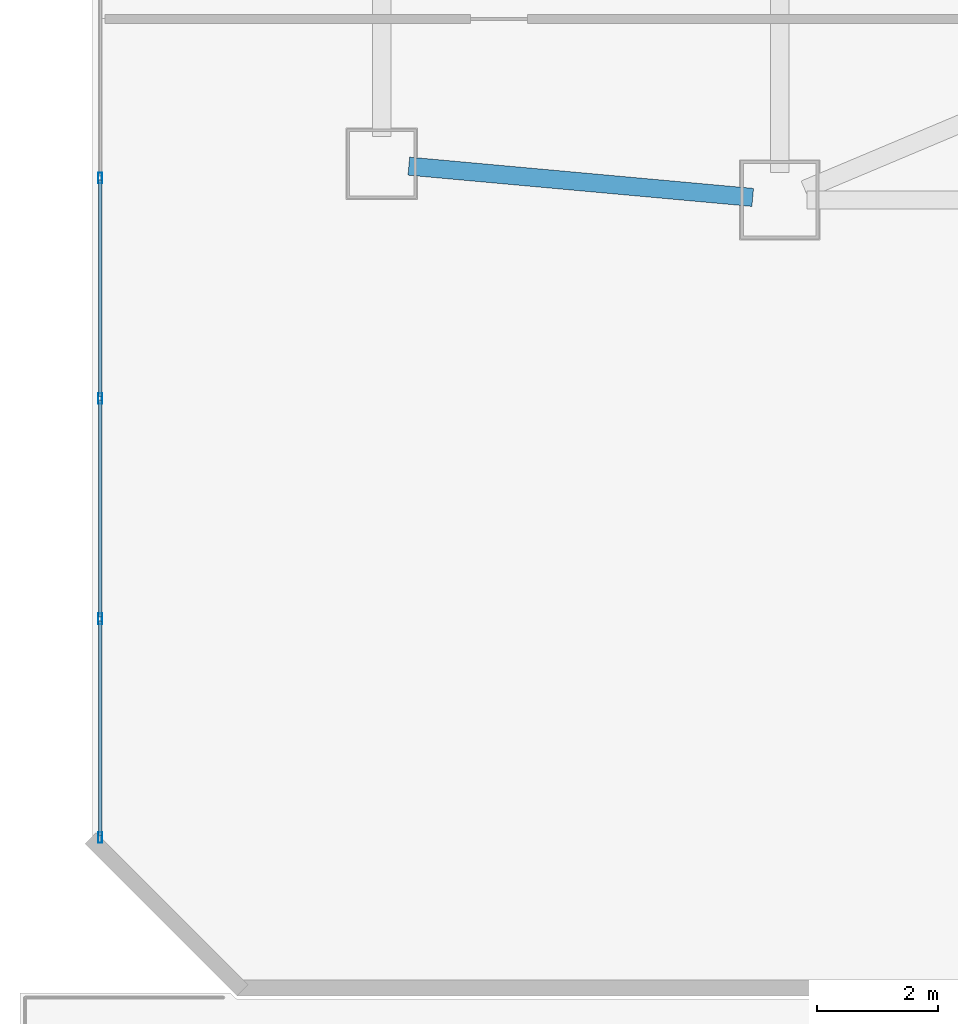
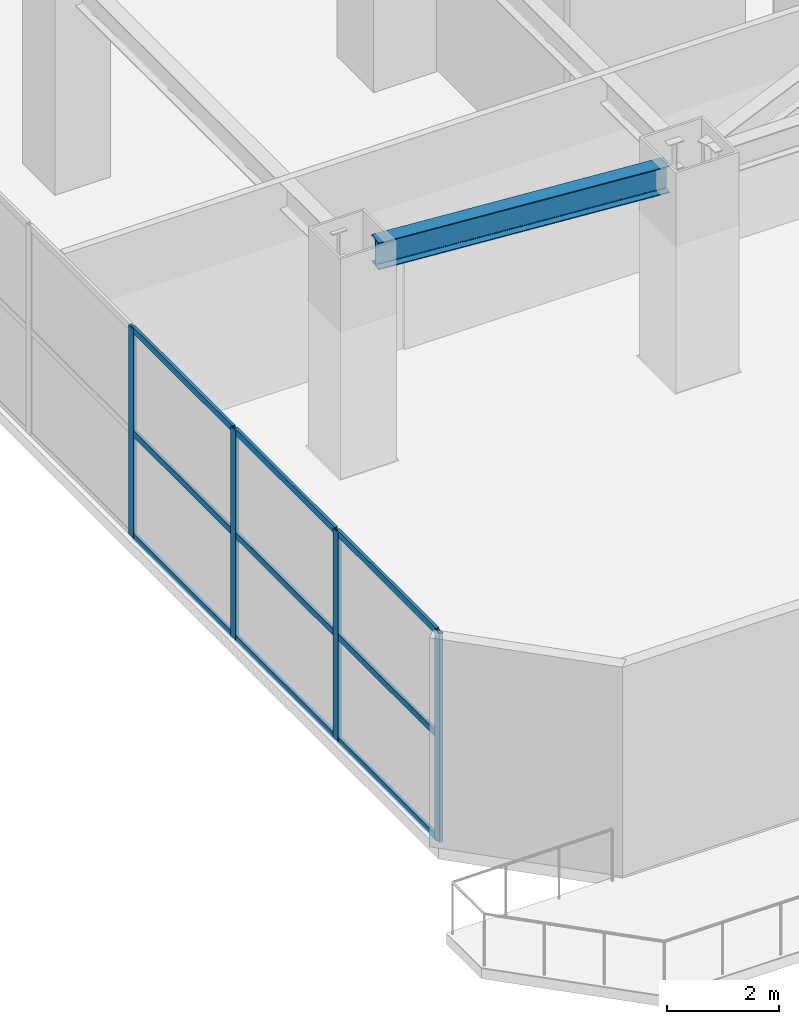
# One storey, part 4 of 31: 13 members, 1 beam, 1 element without a shape of its own.
"""IFC4 building model written with IfcOpenShell, lengths in metres."""

from ifc_helpers import new_model, si_unit, direction, frame, origin, origin_2d, place, context, subcontext, project, spatial, hollow_rectangle, i_section, extrude, material, layer, layer_set, material_profile, profile_set, type_object, element, aggregate, save


model = new_model("IFC4")

# Units and contexts
model_context = context("Model", 3, precision=1e-05, world=origin(), true_north=direction((0.0, 1.0)))
body_context = subcontext(model_context, "Body", "Model", "MODEL_VIEW")
ifc_project = project(units=[si_unit("LENGTHUNIT", "METRE"), si_unit("AREAUNIT", "SQUARE_METRE"), si_unit("VOLUMEUNIT", "CUBIC_METRE"), si_unit("PLANEANGLEUNIT", "RADIAN"), si_unit("MASSUNIT", "GRAM", prefix="KILO")], contexts=[model_context])

# Site, building, storey
site_placement = place(None, origin())
site = spatial("IfcSite", under=ifc_project, at=site_placement, CompositionType="ELEMENT")
building_placement = place(site_placement, origin())
building = spatial("IfcBuilding", under=site, at=building_placement, Name="Haolan Belvedere Tower", CompositionType="ELEMENT")
storey_placement = place(building_placement, frame((0.0, 0.0, 5.39990234375)))
storey = spatial("IfcBuildingStorey", under=building, at=storey_placement, Name="L01", CompositionType="ELEMENT", Elevation=5.39990234375)

# Beam
ifc_material_1 = material(Name="Steel Q355B", Category="steel")
ifc_material_profile_1 = material_profile(ifc_material_1, i_section(OverallWidth=0.300048828125, OverallDepth=0.587890625, WebThickness=0.011962890625, FlangeThickness=0.02001953125, FilletRadius=0.028076171875, at=origin_2d()), Name="Steel Q355B")
ifc_profile_set_1 = profile_set([ifc_material_profile_1], Name="Steel Q355B")
beam_type = type_object("IfcBeamType", Name="BM-HM588x300x12x20", PredefinedType="SPANDREL", material=ifc_profile_set_1)
beam_placement = place(storey_placement, frame((6.4482421875, 17.359375, 4.26611328125), z_axis=(0.995892507606, -0.090543433189, 0.0), x_axis=(0.090543433189, 0.995892507606, 0.0)))
element("IfcBeam", 1, at=beam_placement, inside=storey, type_object=beam_type, Name="L01 spandrel girder MC-T1-SW-MC-T2-SW", PredefinedType="SPANDREL", context=body_context, shape_type="SweptSolid", body=[
    extrude(i_section(OverallWidth=0.300048828125, OverallDepth=0.587890625, WebThickness=0.011962890625, FlangeThickness=0.02001953125, FilletRadius=0.028076171875, at=origin_2d()), origin(), (0.0, 0.0, 1.0), 5.72705078125),
])

# Curtain wall, members
ifc_material_2 = material(Name="Anodised champagne-silver aluminium 6063-T6 and Low-E glass", Category="aluminium")
ifc_layer = layer(ifc_material_2, 0.179931640625, Name="Anodised champagne-silver aluminium 6063-T6 and Low-E glass")
ifc_layer_set = layer_set([ifc_layer], Name="Anodised champagne-silver aluminium 6063-T6 and Low-E glass")
curtain_wall_type = type_object("IfcCurtainWallType", Name="CW-SYS-01", PredefinedType="NOTDEFINED", material=ifc_layer_set)
curtain_wall_placement = place(storey_placement, origin())
curtain_wall = element("IfcCurtainWall", 2, at=curtain_wall_placement, inside=storey, type_object=curtain_wall_type, Name="L01 CW-SYS-01 ribbon curtain wall 4.1", PredefinedType="NOTDEFINED")
ifc_material_3 = material(Name="Anodised aluminium 6063-T6", Category="aluminium")
ifc_material_profile_2 = material_profile(ifc_material_3, hollow_rectangle(XDim=0.06494140625, YDim=0.179931640625, WallThickness=0.00390625, at=origin_2d()), Name="Anodised aluminium 6063-T6")
ifc_profile_set_2 = profile_set([ifc_material_profile_2], Name="Anodised aluminium 6063-T6")
member_type_1 = type_object("IfcMemberType", Name="CW-SYS-01-MUL", PredefinedType="MULLION", material=ifc_profile_set_2)
member_1_placement = place(storey_placement, frame((1.330078125, 17.16357421875, 0.0), z_axis=(0.0, 0.0, 1.0), x_axis=(1.0, 0.0, 0.0)))
member_1 = element("IfcMember", 3, at=member_1_placement, type_object=member_type_1, Name="CW-01 mullion 11", PredefinedType="MULLION", context=body_context, shape_type="SweptSolid", body=[
    extrude(hollow_rectangle(XDim=0.06494140625, YDim=0.179931640625, WallThickness=0.00390625, at=origin_2d()), origin(), (0.0, 0.0, 1.0), 4.56005859375),
])
member_2_placement = place(storey_placement, frame((1.330078125, 13.507080078125, 0.0), z_axis=(0.0, 0.0, 1.0), x_axis=(1.0, 0.0, 0.0)))
member_2 = element("IfcMember", 4, at=member_2_placement, type_object=member_type_1, Name="CW-01 mullion 12", PredefinedType="MULLION", context=body_context, shape_type="SweptSolid", body=[
    extrude(hollow_rectangle(XDim=0.06494140625, YDim=0.179931640625, WallThickness=0.00390625, at=origin_2d()), origin(), (0.0, 0.0, 1.0), 4.56005859375),
])
member_3_placement = place(storey_placement, frame((1.330078125, 9.850341796875, 0.0), z_axis=(0.0, 0.0, 1.0), x_axis=(1.0, 0.0, 0.0)))
member_3 = element("IfcMember", 5, at=member_3_placement, type_object=member_type_1, Name="CW-01 mullion 13", PredefinedType="MULLION", context=body_context, shape_type="SweptSolid", body=[
    extrude(hollow_rectangle(XDim=0.06494140625, YDim=0.179931640625, WallThickness=0.00390625, at=origin_2d()), origin(), (0.0, 0.0, 1.0), 4.56005859375),
])
member_4_placement = place(storey_placement, frame((1.330078125, 6.226318359375, 0.0), z_axis=(0.0, 0.0, 1.0), x_axis=(1.0, 0.0, 0.0)))
member_4 = element("IfcMember", 6, at=member_4_placement, type_object=member_type_1, Name="CW-01 mullion 14", PredefinedType="MULLION", context=body_context, shape_type="SweptSolid", body=[
    extrude(hollow_rectangle(XDim=0.06494140625, YDim=0.179931640625, WallThickness=0.00390625, at=origin_2d()), origin(), (0.0, 0.0, 1.0), 4.56005859375),
])
ifc_material_profile_3 = material_profile(ifc_material_3, hollow_rectangle(XDim=0.06005859375, YDim=0.139892578125, WallThickness=0.00390625, at=origin_2d()), Name="Anodised aluminium 6063-T6")
ifc_profile_set_3 = profile_set([ifc_material_profile_3], Name="Anodised aluminium 6063-T6")
member_type_2 = type_object("IfcMemberType", Name="CW-SYS-01-TRN", PredefinedType="USERDEFINED", material=ifc_profile_set_3)
member_5_placement = place(storey_placement, frame((1.330078125, 17.131103515625, 0.030029296875), z_axis=(0.0, -1.0, 0.0), x_axis=(1.0, 0.0, 0.0)))
member_5 = element("IfcMember", 7, at=member_5_placement, type_object=member_type_2, Name="CW-01 transom 11.1", ObjectType="TRANSOM", PredefinedType="USERDEFINED", context=body_context, shape_type="SweptSolid", body=[
    extrude(hollow_rectangle(XDim=0.06005859375, YDim=0.139892578125, WallThickness=0.00390625, at=origin_2d()), origin(), (0.0, 0.0, 1.0), 3.591552734375),
])
member_6_placement = place(storey_placement, frame((1.330078125, 17.131103515625, 2.280029296875), z_axis=(0.0, -1.0, 0.0), x_axis=(1.0, 0.0, 0.0)))
member_6 = element("IfcMember", 8, at=member_6_placement, type_object=member_type_2, Name="CW-01 transom 11.2", ObjectType="TRANSOM", PredefinedType="USERDEFINED", context=body_context, shape_type="SweptSolid", body=[
    extrude(hollow_rectangle(XDim=0.06005859375, YDim=0.139892578125, WallThickness=0.00390625, at=origin_2d()), origin(), (0.0, 0.0, 1.0), 3.591552734375),
])
member_7_placement = place(storey_placement, frame((1.330078125, 17.131103515625, 4.530029296875), z_axis=(0.0, -1.0, 0.0), x_axis=(1.0, 0.0, 0.0)))
member_7 = element("IfcMember", 9, at=member_7_placement, type_object=member_type_2, Name="CW-01 transom 11.3", ObjectType="TRANSOM", PredefinedType="USERDEFINED", context=body_context, shape_type="SweptSolid", body=[
    extrude(hollow_rectangle(XDim=0.06005859375, YDim=0.139892578125, WallThickness=0.00390625, at=origin_2d()), origin(), (0.0, 0.0, 1.0), 3.591552734375),
])
member_8_placement = place(storey_placement, frame((1.330078125, 13.474609375, 0.030029296875), z_axis=(0.0, -1.0, 0.0), x_axis=(1.0, 0.0, 0.0)))
member_8 = element("IfcMember", 10, at=member_8_placement, type_object=member_type_2, Name="CW-01 transom 12.1", ObjectType="TRANSOM", PredefinedType="USERDEFINED", context=body_context, shape_type="SweptSolid", body=[
    extrude(hollow_rectangle(XDim=0.06005859375, YDim=0.139892578125, WallThickness=0.00390625, at=origin_2d()), origin(), (0.0, 0.0, 1.0), 3.591796875),
])
member_9_placement = place(storey_placement, frame((1.330078125, 13.474609375, 2.280029296875), z_axis=(0.0, -1.0, 0.0), x_axis=(1.0, 0.0, 0.0)))
member_9 = element("IfcMember", 11, at=member_9_placement, type_object=member_type_2, Name="CW-01 transom 12.2", ObjectType="TRANSOM", PredefinedType="USERDEFINED", context=body_context, shape_type="SweptSolid", body=[
    extrude(hollow_rectangle(XDim=0.06005859375, YDim=0.139892578125, WallThickness=0.00390625, at=origin_2d()), origin(), (0.0, 0.0, 1.0), 3.591796875),
])
member_10_placement = place(storey_placement, frame((1.330078125, 13.474609375, 4.530029296875), z_axis=(0.0, -1.0, 0.0), x_axis=(1.0, 0.0, 0.0)))
member_10 = element("IfcMember", 12, at=member_10_placement, type_object=member_type_2, Name="CW-01 transom 12.3", ObjectType="TRANSOM", PredefinedType="USERDEFINED", context=body_context, shape_type="SweptSolid", body=[
    extrude(hollow_rectangle(XDim=0.06005859375, YDim=0.139892578125, WallThickness=0.00390625, at=origin_2d()), origin(), (0.0, 0.0, 1.0), 3.591796875),
])
member_11_placement = place(storey_placement, frame((1.330078125, 9.81787109375, 0.030029296875), z_axis=(0.0, -1.0, 0.0), x_axis=(1.0, 0.0, 0.0)))
member_11 = element("IfcMember", 13, at=member_11_placement, type_object=member_type_2, Name="CW-01 transom 13.1", ObjectType="TRANSOM", PredefinedType="USERDEFINED", context=body_context, shape_type="SweptSolid", body=[
    extrude(hollow_rectangle(XDim=0.06005859375, YDim=0.139892578125, WallThickness=0.00390625, at=origin_2d()), origin(), (0.0, 0.0, 1.0), 3.55908203125),
])
member_12_placement = place(storey_placement, frame((1.330078125, 9.81787109375, 2.280029296875), z_axis=(0.0, -1.0, 0.0), x_axis=(1.0, 0.0, 0.0)))
member_12 = element("IfcMember", 14, at=member_12_placement, type_object=member_type_2, Name="CW-01 transom 13.2", ObjectType="TRANSOM", PredefinedType="USERDEFINED", context=body_context, shape_type="SweptSolid", body=[
    extrude(hollow_rectangle(XDim=0.06005859375, YDim=0.139892578125, WallThickness=0.00390625, at=origin_2d()), origin(), (0.0, 0.0, 1.0), 3.55908203125),
])
member_13_placement = place(storey_placement, frame((1.330078125, 9.81787109375, 4.530029296875), z_axis=(0.0, -1.0, 0.0), x_axis=(1.0, 0.0, 0.0)))
member_13 = element("IfcMember", 15, at=member_13_placement, type_object=member_type_2, Name="CW-01 transom 13.3", ObjectType="TRANSOM", PredefinedType="USERDEFINED", context=body_context, shape_type="SweptSolid", body=[
    extrude(hollow_rectangle(XDim=0.06005859375, YDim=0.139892578125, WallThickness=0.00390625, at=origin_2d()), origin(), (0.0, 0.0, 1.0), 3.55908203125),
])
aggregate(curtain_wall, [member_1, member_2, member_3, member_4, member_5, member_6, member_7, member_8, member_9, member_10, member_11, member_12, member_13])

save(model, "model.ifc")
